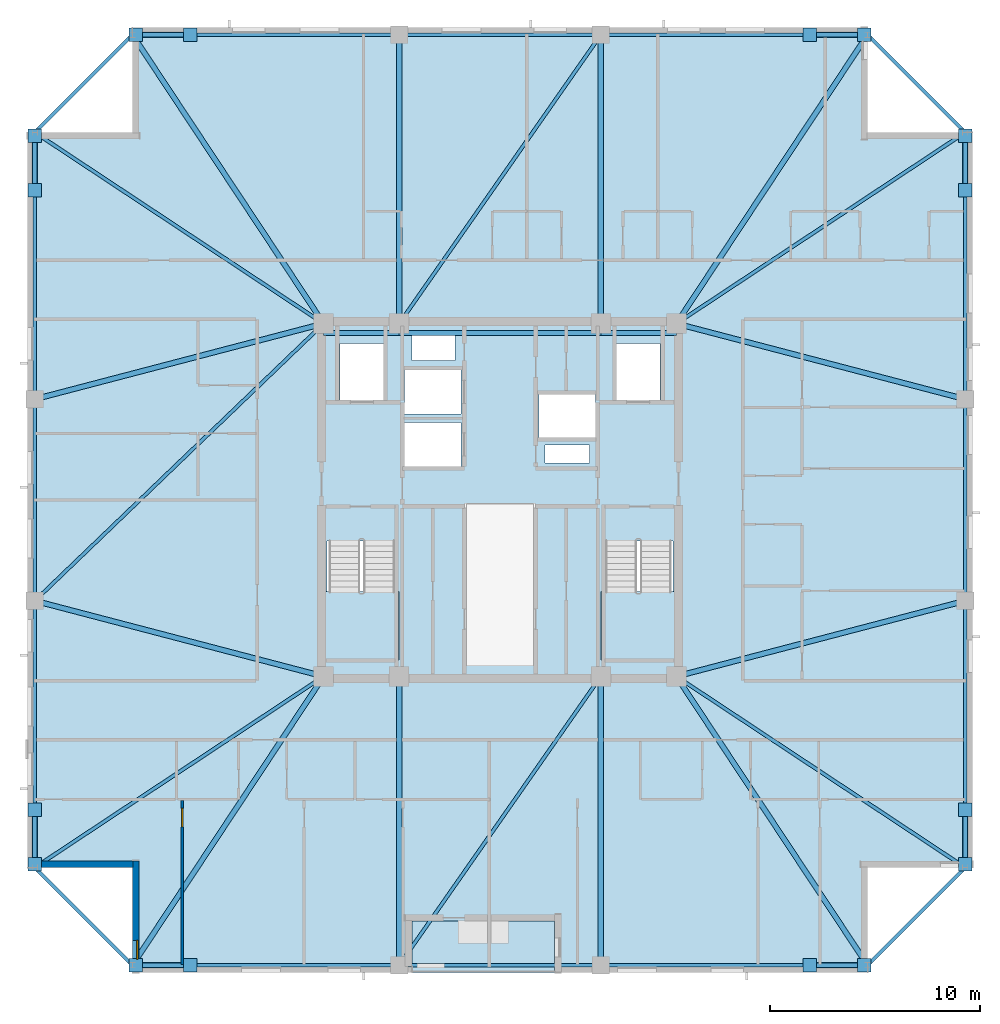
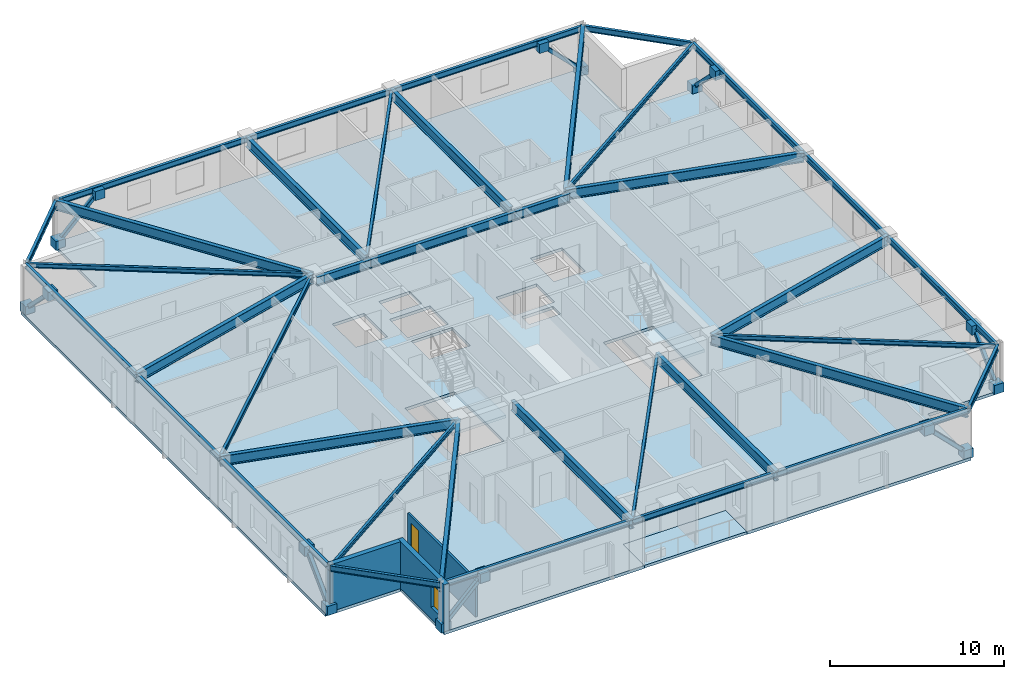
# One storey, part 6 of 17: 38 beams, 16 plates, 8 members, 4 slabs, 3 walls, 1 door, 1 window, 2 openings, 2 elements without a shape of their own.
"""IFC4 building model written with IfcOpenShell, lengths in metres."""

from ifc_helpers import new_model, si_unit, direction, frame, frame_2d, origin, origin_2d, place, context, subcontext, project, spatial, polyline, rectangle, hollow_rectangle, i_section, outline, extrude, material, layer, layer_set, material_profile, profile_set, type_object, element, fill, aggregate, save


model = new_model("IFC4")

# Units and contexts
model_context = context("Model", 3, precision=1e-05, world=origin(), true_north=direction((0.0, 1.0)))
body_context = subcontext(model_context, "Body", "Model", "MODEL_VIEW")
ifc_project = project(units=[si_unit("LENGTHUNIT", "METRE"), si_unit("AREAUNIT", "SQUARE_METRE"), si_unit("VOLUMEUNIT", "CUBIC_METRE"), si_unit("PLANEANGLEUNIT", "RADIAN"), si_unit("MASSUNIT", "GRAM", prefix="KILO")], contexts=[model_context])

# Site, building, storey
site_placement = place(None, origin())
site = spatial("IfcSite", under=ifc_project, at=site_placement, CompositionType="ELEMENT")
building_placement = place(site_placement, origin())
building = spatial("IfcBuilding", under=site, at=building_placement, Name="Cairnveth Concourse Tower", CompositionType="ELEMENT")
storey_placement = place(building_placement, frame((0.0, 0.0, 269.0)))
storey = spatial("IfcBuildingStorey", under=building, at=storey_placement, Name="L74", CompositionType="ELEMENT", Elevation=269.0)

# Beams
ifc_material_1 = material(Name="Steel Grade 350", Category="steel")
ifc_material_profile_1 = material_profile(ifc_material_1, i_section(OverallWidth=0.22802734375, OverallDepth=0.60693359375, WebThickness=0.01123046875, FlangeThickness=0.017333984375, FilletRadius=0.013916015625, at=origin_2d()), Name="610UB113")
ifc_profile_set_1 = profile_set([ifc_material_profile_1], Name="Steel Grade 350")
beam_type_1 = type_object("IfcBeamType", Name="CORE TIE BEAM 610UB113", PredefinedType="T_BEAM", material=ifc_profile_set_1)
for number, where, z_axis, x_axis, name in (
    (1, (43.60009765625, 46.949951171875, 2.986572265625), (1.0, 0.0, 0.0), (0.0, 1.0, 0.0), "Beam CT-N1 L74"),
    (2, (56.800048828125, 46.949951171875, 2.986572265625), (1.0, 0.0, 0.0), (0.0, 1.0, 0.0), "Beam CT-N3 L74"),
):
    element("IfcBeam", number, at=place(storey_placement, frame(where, z_axis=z_axis, x_axis=x_axis)), inside=storey, type_object=beam_type_1, Name=name, PredefinedType="T_BEAM", context=body_context, shape_type="SweptSolid", body=[
        extrude(i_section(OverallWidth=0.22802734375, OverallDepth=0.60693359375, WebThickness=0.01123046875, FlangeThickness=0.017333984375, FilletRadius=0.013916015625, at=origin_2d()), origin(), (0.0, 0.0, 1.0), 3.599853515625),
    ])
beam_1_placement = place(storey_placement, frame((47.199951171875, 46.949951171875, 2.986572265625), z_axis=(1.0, 0.0, 0.0), x_axis=(0.0, 1.0, 0.0)))
element("IfcBeam", 3, at=beam_1_placement, inside=storey, type_object=beam_type_1, Name="Beam CT-N2 L74", PredefinedType="T_BEAM", context=body_context, shape_type="SweptSolid", body=[
    extrude(i_section(OverallWidth=0.22802734375, OverallDepth=0.60693359375, WebThickness=0.01123046875, FlangeThickness=0.017333984375, FilletRadius=0.013916015625, at=origin_2d()), origin(), (0.0, 0.0, 1.0), 9.60009765625),
])
ifc_material_profile_2 = material_profile(ifc_material_1, i_section(OverallWidth=0.166015625, OverallDepth=0.306884765625, WebThickness=0.006591796875, FlangeThickness=0.01171875, FilletRadius=0.010986328125, at=origin_2d()), Name="310UB46.2")
ifc_profile_set_2 = profile_set([ifc_material_profile_2], Name="Steel Grade 350")
beam_type_2 = type_object("IfcBeamType", Name="ZONE 3 FLOOR JOIST 310UB46.2", PredefinedType="JOIST", material=ifc_profile_set_2)
for number, where, z_axis, x_axis, name in (
    (4, (29.85009765625, 21.5, 3.136474609375), (0.833908956207, 0.551902031848, 0.0), (-0.551902031848, 0.833908956207, 0.0), "Beam FJ-CSW2 L74"),
    (5, (74.14990234375, 21.5, 3.136474609375), (-0.833908956207, 0.551902031848, 0.0), (-0.551902031848, -0.833908956207, 0.0), "Beam FJ-CSE2 L74"),
    (6, (74.14990234375, 56.5, 3.136474609375), (-0.833908956207, -0.551902031848, 0.0), (0.551902031848, -0.833908956207, 0.0), "Beam FJ-CNE2 L74"),
    (7, (29.85009765625, 56.5, 3.136474609375), (0.833908956207, -0.551902031848, 0.0), (0.551902031848, 0.833908956207, 0.0), "Beam FJ-CNW2 L74"),
):
    element("IfcBeam", number, at=place(storey_placement, frame(where, z_axis=z_axis, x_axis=x_axis)), inside=storey, type_object=beam_type_2, Name=name, PredefinedType="JOIST", context=body_context, shape_type="SweptSolid", body=[
        extrude(i_section(OverallWidth=0.166015625, OverallDepth=0.306884765625, WebThickness=0.006591796875, FlangeThickness=0.01171875, FilletRadius=0.010986328125, at=origin_2d()), origin(), (0.0, 0.0, 1.0), 16.488525390625),
    ])
for number, where, z_axis, x_axis, name in (
    (8, (47.199951171875, 16.85009765625, 3.136474609375), (0.572465304893, 0.819928944905, 0.0), (-0.819928944905, 0.572465304893, 0.0), "Beam FJ-S-M1 L74"),
    (9, (47.199951171875, 47.39990234375, 3.136474609375), (0.572465304893, 0.819928944905, 0.0), (-0.819928944905, 0.572465304893, 0.0), "Beam FJ-N-M1 L74"),
):
    element("IfcBeam", number, at=place(storey_placement, frame(where, z_axis=z_axis, x_axis=x_axis)), inside=storey, type_object=beam_type_2, Name=name, PredefinedType="JOIST", context=body_context, shape_type="SweptSolid", body=[
        extrude(i_section(OverallWidth=0.166015625, OverallDepth=0.306884765625, WebThickness=0.006591796875, FlangeThickness=0.01171875, FilletRadius=0.010986328125, at=origin_2d()), origin(), (0.0, 0.0, 1.0), 16.769775390625),
    ])
beam_2_placement = place(storey_placement, frame((29.85009765625, 34.199951171875, 3.136474609375), z_axis=(0.721388600838, 0.692530495055, 0.0), x_axis=(-0.692530495055, 0.721388600838, 0.0)))
element("IfcBeam", 10, at=beam_2_placement, inside=storey, type_object=beam_type_2, Name="Beam FJ-W-M1 L74", PredefinedType="JOIST", context=body_context, shape_type="SweptSolid", body=[
    extrude(i_section(OverallWidth=0.166015625, OverallDepth=0.306884765625, WebThickness=0.006591796875, FlangeThickness=0.01171875, FilletRadius=0.010986328125, at=origin_2d()), origin(), (0.0, 0.0, 1.0), 19.060546875),
])

# Members
ifc_material_2 = material(Name="Steel C350L0 (350 MPa)", Category="steel")
ifc_material_profile_3 = material_profile(ifc_material_2, hollow_rectangle(XDim=0.25, YDim=0.25, WallThickness=0.012451171875, InnerFilletRadius=0.012939453125, OuterFilletRadius=0.02490234375, at=origin_2d()), Name="250x250x12.5SHS")
ifc_profile_set_3 = profile_set([ifc_material_profile_3], Name="Steel C350L0 (350 MPa)")
member_type = type_object("IfcMemberType", Name="ZONE 3 PIER BRACE 250X250X12.5SHS", PredefinedType="BRACE", material=ifc_profile_set_3)
for number, where, z_axis, x_axis, name in (
    (11, (34.64990234375, 16.85009765625, 0.25), (0.708469186186, 0.0, 0.705741746126), (0.0, 1.0, 0.0), "Structural Brace PB-S1 L74"),
    (12, (69.35009765625, 16.85009765625, 0.25), (-0.708469186186, 0.0, 0.705741746126), (0.0, -1.0, 0.0), "Structural Brace PB-S2 L74"),
    (13, (34.64990234375, 61.14990234375, 0.25), (0.708469186186, 0.0, 0.705741746126), (0.0, 1.0, 0.0), "Structural Brace PB-N1 L74"),
    (14, (69.35009765625, 61.14990234375, 0.25), (-0.708469186186, 0.0, 0.705741746126), (0.0, -1.0, 0.0), "Structural Brace PB-N2 L74"),
    (15, (29.85009765625, 21.64990234375, 0.25), (0.0, 0.708469186186, 0.705741746126), (-1.0, 0.0, 0.0), "Structural Brace PB-W1 L74"),
    (16, (29.85009765625, 56.35009765625, 0.25), (0.0, -0.708469186186, 0.705741746126), (1.0, 0.0, 0.0), "Structural Brace PB-W2 L74"),
    (17, (74.14990234375, 21.64990234375, 0.25), (0.0, 0.708469186186, 0.705741746126), (-1.0, 0.0, 0.0), "Structural Brace PB-E1 L74"),
    (18, (74.14990234375, 56.35009765625, 0.25), (0.0, -0.708469186186, 0.705741746126), (1.0, 0.0, 0.0), "Structural Brace PB-E2 L74"),
):
    element("IfcMember", number, at=place(storey_placement, frame(where, z_axis=z_axis, x_axis=x_axis)), inside=storey, type_object=member_type, Name=name, PredefinedType="BRACE", context=body_context, shape_type="SweptSolid", body=[
        extrude(hollow_rectangle(XDim=0.25, YDim=0.25, WallThickness=0.012451171875, InnerFilletRadius=0.012939453125, OuterFilletRadius=0.02490234375, at=origin_2d()), origin(), (0.0, 0.0, 1.0), 3.669921875),
    ])

# Beams
ifc_material_profile_4 = material_profile(ifc_material_1, i_section(OverallWidth=0.25, OverallDepth=0.69189453125, WebThickness=0.010009765625, FlangeThickness=0.02490234375, at=origin_2d()), Name="700WB150")
ifc_profile_set_4 = profile_set([ifc_material_profile_4], Name="Steel Grade 350")
beam_type_3 = type_object("IfcBeamType", Name="ZONE 3 RADIAL GIRDER 700WB150", PredefinedType="BEAM", material=ifc_profile_set_4)
for number, where, z_axis, x_axis, name in (
    (19, (47.199951171875, 16.85009765625, 2.944091796875), (0.0, 1.0, 0.0), (-1.0, 0.0, 0.0), "Beam RG-S1 L74"),
    (20, (56.800048828125, 16.85009765625, 2.944091796875), (0.0, 1.0, 0.0), (-1.0, 0.0, 0.0), "Beam RG-S2 L74"),
    (21, (47.199951171875, 47.39990234375, 2.944091796875), (0.0, 1.0, 0.0), (-1.0, 0.0, 0.0), "Beam RG-N1 L74"),
    (22, (56.800048828125, 47.39990234375, 2.944091796875), (0.0, 1.0, 0.0), (-1.0, 0.0, 0.0), "Beam RG-N2 L74"),
):
    element("IfcBeam", number, at=place(storey_placement, frame(where, z_axis=z_axis, x_axis=x_axis)), inside=storey, type_object=beam_type_3, Name=name, PredefinedType="BEAM", context=body_context, shape_type="SweptSolid", body=[
        extrude(i_section(OverallWidth=0.25, OverallDepth=0.69189453125, WebThickness=0.010009765625, FlangeThickness=0.02490234375, at=origin_2d()), origin(), (0.0, 0.0, 1.0), 13.75),
    ])
for number, where, z_axis, x_axis, name in (
    (23, (29.85009765625, 34.199951171875, 2.944091796875), (0.967395273598, -0.253271365575, 0.0), (0.253271365575, 0.967395273598, 0.0), "Beam RG-W1 L74"),
    (24, (29.85009765625, 43.800048828125, 2.944091796875), (0.967395273598, 0.253271365575, 0.0), (-0.253271365575, 0.967395273598, 0.0), "Beam RG-W2 L74"),
    (25, (60.39990234375, 30.60009765625, 2.944091796875), (0.967395273598, 0.253271365575, 0.0), (-0.253271365575, 0.967395273598, 0.0), "Beam RG-E1 L74"),
    (26, (60.39990234375, 47.39990234375, 2.944091796875), (0.967395273598, -0.253271365575, 0.0), (0.253271365575, 0.967395273598, 0.0), "Beam RG-E2 L74"),
):
    element("IfcBeam", number, at=place(storey_placement, frame(where, z_axis=z_axis, x_axis=x_axis)), inside=storey, type_object=beam_type_3, Name=name, PredefinedType="BEAM", context=body_context, shape_type="SweptSolid", body=[
        extrude(i_section(OverallWidth=0.25, OverallDepth=0.69189453125, WebThickness=0.010009765625, FlangeThickness=0.02490234375, at=origin_2d()), origin(), (0.0, 0.0, 1.0), 14.21337890625),
    ])
for number, where, z_axis, x_axis, name in (
    (27, (34.5, 16.85009765625, 2.944091796875), (0.551902031848, 0.833908956207, 0.0), (-0.833908956207, 0.551902031848, 0.0), "Beam RG-CSW L74"),
    (28, (69.5, 16.85009765625, 2.944091796875), (-0.551902031848, 0.833908956207, 0.0), (-0.833908956207, -0.551902031848, 0.0), "Beam RG-CSE L74"),
    (29, (69.5, 61.14990234375, 2.944091796875), (-0.551902031848, -0.833908956207, 0.0), (0.833908956207, -0.551902031848, 0.0), "Beam RG-CNE L74"),
    (30, (34.5, 61.14990234375, 2.944091796875), (0.551902031848, -0.833908956207, 0.0), (0.833908956207, 0.551902031848, 0.0), "Beam RG-CNW L74"),
):
    element("IfcBeam", number, at=place(storey_placement, frame(where, z_axis=z_axis, x_axis=x_axis)), inside=storey, type_object=beam_type_3, Name=name, PredefinedType="BEAM", context=body_context, shape_type="SweptSolid", body=[
        extrude(i_section(OverallWidth=0.25, OverallDepth=0.69189453125, WebThickness=0.010009765625, FlangeThickness=0.02490234375, at=origin_2d()), origin(), (0.0, 0.0, 1.0), 16.488525390625),
    ])
ifc_material_profile_5 = material_profile(ifc_material_1, i_section(OverallWidth=0.177978515625, OverallDepth=0.406005859375, WebThickness=0.0078125, FlangeThickness=0.0126953125, FilletRadius=0.010986328125, at=origin_2d()), Name="410UB59.7")
ifc_profile_set_5 = profile_set([ifc_material_profile_5], Name="Steel Grade 350")
beam_type_4 = type_object("IfcBeamType", Name="ZONE 3 SPANDREL BEAM 410UB59.7", PredefinedType="SPANDREL", material=ifc_profile_set_5)
beam_3_placement = place(storey_placement, frame((34.5, 16.85009765625, 3.0869140625), z_axis=(1.0, 0.0, 0.0), x_axis=(0.0, 1.0, 0.0)))
element("IfcBeam", 31, at=beam_3_placement, inside=storey, type_object=beam_type_4, Name="Beam SP-S1 L74", PredefinedType="SPANDREL", context=body_context, shape_type="SweptSolid", body=[
    extrude(i_section(OverallWidth=0.177978515625, OverallDepth=0.406005859375, WebThickness=0.0078125, FlangeThickness=0.0126953125, FilletRadius=0.010986328125, at=origin_2d()), origin(), (0.0, 0.0, 1.0), 12.699951171875),
])
beam_4_placement = place(storey_placement, frame((47.199951171875, 16.85009765625, 3.0869140625), z_axis=(1.0, 0.0, 0.0), x_axis=(0.0, 1.0, 0.0)))
element("IfcBeam", 32, at=beam_4_placement, inside=storey, type_object=beam_type_4, Name="Beam SP-S2 L74", PredefinedType="SPANDREL", context=body_context, shape_type="SweptSolid", body=[
    extrude(i_section(OverallWidth=0.177978515625, OverallDepth=0.406005859375, WebThickness=0.0078125, FlangeThickness=0.0126953125, FilletRadius=0.010986328125, at=origin_2d()), origin(), (0.0, 0.0, 1.0), 9.60009765625),
])
for number, where, z_axis, x_axis, name in (
    (33, (56.800048828125, 16.85009765625, 3.0869140625), (1.0, 0.0, 0.0), (0.0, 1.0, 0.0), "Beam SP-S3 L74"),
    (34, (34.5, 61.14990234375, 3.0869140625), (1.0, 0.0, 0.0), (0.0, 1.0, 0.0), "Beam SP-N1 L74"),
):
    element("IfcBeam", number, at=place(storey_placement, frame(where, z_axis=z_axis, x_axis=x_axis)), inside=storey, type_object=beam_type_4, Name=name, PredefinedType="SPANDREL", context=body_context, shape_type="SweptSolid", body=[
        extrude(i_section(OverallWidth=0.177978515625, OverallDepth=0.406005859375, WebThickness=0.0078125, FlangeThickness=0.0126953125, FilletRadius=0.010986328125, at=origin_2d()), origin(), (0.0, 0.0, 1.0), 12.699951171875),
    ])
beam_5_placement = place(storey_placement, frame((47.199951171875, 61.14990234375, 3.0869140625), z_axis=(1.0, 0.0, 0.0), x_axis=(0.0, 1.0, 0.0)))
element("IfcBeam", 35, at=beam_5_placement, inside=storey, type_object=beam_type_4, Name="Beam SP-N2 L74", PredefinedType="SPANDREL", context=body_context, shape_type="SweptSolid", body=[
    extrude(i_section(OverallWidth=0.177978515625, OverallDepth=0.406005859375, WebThickness=0.0078125, FlangeThickness=0.0126953125, FilletRadius=0.010986328125, at=origin_2d()), origin(), (0.0, 0.0, 1.0), 9.60009765625),
])
for number, where, z_axis, x_axis, name in (
    (36, (56.800048828125, 61.14990234375, 3.0869140625), (1.0, 0.0, 0.0), (0.0, 1.0, 0.0), "Beam SP-N3 L74"),
    (37, (29.85009765625, 21.5, 3.0869140625), (0.0, 1.0, 0.0), (-1.0, 0.0, 0.0), "Beam SP-W1 L74"),
):
    element("IfcBeam", number, at=place(storey_placement, frame(where, z_axis=z_axis, x_axis=x_axis)), inside=storey, type_object=beam_type_4, Name=name, PredefinedType="SPANDREL", context=body_context, shape_type="SweptSolid", body=[
        extrude(i_section(OverallWidth=0.177978515625, OverallDepth=0.406005859375, WebThickness=0.0078125, FlangeThickness=0.0126953125, FilletRadius=0.010986328125, at=origin_2d()), origin(), (0.0, 0.0, 1.0), 12.699951171875),
    ])
beam_6_placement = place(storey_placement, frame((29.85009765625, 34.199951171875, 3.0869140625), z_axis=(0.0, 1.0, 0.0), x_axis=(-1.0, 0.0, 0.0)))
element("IfcBeam", 38, at=beam_6_placement, inside=storey, type_object=beam_type_4, Name="Beam SP-W2 L74", PredefinedType="SPANDREL", context=body_context, shape_type="SweptSolid", body=[
    extrude(i_section(OverallWidth=0.177978515625, OverallDepth=0.406005859375, WebThickness=0.0078125, FlangeThickness=0.0126953125, FilletRadius=0.010986328125, at=origin_2d()), origin(), (0.0, 0.0, 1.0), 9.60009765625),
])
for number, where, z_axis, x_axis, name in (
    (39, (29.85009765625, 43.800048828125, 3.0869140625), (0.0, 1.0, 0.0), (-1.0, 0.0, 0.0), "Beam SP-W3 L74"),
    (40, (74.14990234375, 21.5, 3.0869140625), (0.0, 1.0, 0.0), (-1.0, 0.0, 0.0), "Beam SP-E1 L74"),
):
    element("IfcBeam", number, at=place(storey_placement, frame(where, z_axis=z_axis, x_axis=x_axis)), inside=storey, type_object=beam_type_4, Name=name, PredefinedType="SPANDREL", context=body_context, shape_type="SweptSolid", body=[
        extrude(i_section(OverallWidth=0.177978515625, OverallDepth=0.406005859375, WebThickness=0.0078125, FlangeThickness=0.0126953125, FilletRadius=0.010986328125, at=origin_2d()), origin(), (0.0, 0.0, 1.0), 12.699951171875),
    ])
beam_7_placement = place(storey_placement, frame((74.14990234375, 34.199951171875, 3.0869140625), z_axis=(0.0, 1.0, 0.0), x_axis=(-1.0, 0.0, 0.0)))
element("IfcBeam", 41, at=beam_7_placement, inside=storey, type_object=beam_type_4, Name="Beam SP-E2 L74", PredefinedType="SPANDREL", context=body_context, shape_type="SweptSolid", body=[
    extrude(i_section(OverallWidth=0.177978515625, OverallDepth=0.406005859375, WebThickness=0.0078125, FlangeThickness=0.0126953125, FilletRadius=0.010986328125, at=origin_2d()), origin(), (0.0, 0.0, 1.0), 9.60009765625),
])
beam_8_placement = place(storey_placement, frame((74.14990234375, 43.800048828125, 3.0869140625), z_axis=(0.0, 1.0, 0.0), x_axis=(-1.0, 0.0, 0.0)))
element("IfcBeam", 42, at=beam_8_placement, inside=storey, type_object=beam_type_4, Name="Beam SP-E3 L74", PredefinedType="SPANDREL", context=body_context, shape_type="SweptSolid", body=[
    extrude(i_section(OverallWidth=0.177978515625, OverallDepth=0.406005859375, WebThickness=0.0078125, FlangeThickness=0.0126953125, FilletRadius=0.010986328125, at=origin_2d()), origin(), (0.0, 0.0, 1.0), 12.699951171875),
])
for number, where, z_axis, x_axis, name in (
    (43, (29.85009765625, 21.5, 3.0869140625), (0.707106781187, -0.707106781187, 0.0), (0.707106781187, 0.707106781187, 0.0), "Beam SP-SW L74"),
    (44, (69.5, 16.85009765625, 3.0869140625), (0.707106781187, 0.707106781187, 0.0), (-0.707106781187, 0.707106781187, 0.0), "Beam SP-SE L74"),
    (45, (69.5, 61.14990234375, 3.0869140625), (0.707106781187, -0.707106781187, 0.0), (0.707106781187, 0.707106781187, 0.0), "Beam SP-NE L74"),
    (46, (29.85009765625, 56.5, 3.0869140625), (0.707106781187, 0.707106781187, 0.0), (-0.707106781187, 0.707106781187, 0.0), "Beam SP-NW L74"),
):
    element("IfcBeam", number, at=place(storey_placement, frame(where, z_axis=z_axis, x_axis=x_axis)), inside=storey, type_object=beam_type_4, Name=name, PredefinedType="SPANDREL", context=body_context, shape_type="SweptSolid", body=[
        extrude(i_section(OverallWidth=0.177978515625, OverallDepth=0.406005859375, WebThickness=0.0078125, FlangeThickness=0.0126953125, FilletRadius=0.010986328125, at=origin_2d()), origin(), (0.0, 0.0, 1.0), 6.575927734375),
    ])

# Plates
ifc_layer_1 = layer(ifc_material_1, 0.031982421875)
ifc_layer_set_1 = layer_set([ifc_layer_1], Name="Steel Grade 350")
plate_type = type_object("IfcPlateType", Name="PERIMETER BRACE GUSSET PLATE 32", PredefinedType="USERDEFINED", material=ifc_layer_set_1)
for number, where, z_axis, x_axis, name in (
    (47, (34.64990234375, 16.85009765625, -0.06982421875), (0.0, 0.0, 1.0), (1.0, 0.0, 0.0), "Structural Node Plate 1269 L74"),
    (48, (37.25, 16.85009765625, 2.52001953125), (0.0, 0.0, 1.0), (1.0, 0.0, 0.0), "Structural Node Plate 1270 L74"),
    (49, (69.35009765625, 16.85009765625, -0.06982421875), (0.0, 0.0, 1.0), (1.0, 0.0, 0.0), "Structural Node Plate 1271 L74"),
    (50, (66.75, 16.85009765625, 2.52001953125), (0.0, 0.0, 1.0), (1.0, 0.0, 0.0), "Structural Node Plate 1272 L74"),
    (51, (34.64990234375, 61.14990234375, -0.06982421875), (0.0, 0.0, 1.0), (1.0, 0.0, 0.0), "Structural Node Plate 1273 L74"),
    (52, (37.25, 61.14990234375, 2.52001953125), (0.0, 0.0, 1.0), (1.0, 0.0, 0.0), "Structural Node Plate 1274 L74"),
    (53, (69.35009765625, 61.14990234375, -0.06982421875), (0.0, 0.0, 1.0), (1.0, 0.0, 0.0), "Structural Node Plate 1275 L74"),
    (54, (66.75, 61.14990234375, 2.52001953125), (0.0, 0.0, 1.0), (1.0, 0.0, 0.0), "Structural Node Plate 1276 L74"),
    (55, (29.85009765625, 21.64990234375, -0.06982421875), (0.0, 0.0, 1.0), (1.0, 0.0, 0.0), "Structural Node Plate 1277 L74"),
    (56, (29.85009765625, 24.25, 2.52001953125), (0.0, 0.0, 1.0), (1.0, 0.0, 0.0), "Structural Node Plate 1278 L74"),
    (57, (29.85009765625, 56.35009765625, -0.06982421875), (0.0, 0.0, 1.0), (1.0, 0.0, 0.0), "Structural Node Plate 1279 L74"),
    (58, (29.85009765625, 53.75, 2.52001953125), (0.0, 0.0, 1.0), (1.0, 0.0, 0.0), "Structural Node Plate 1280 L74"),
    (59, (74.14990234375, 21.64990234375, -0.06982421875), (0.0, 0.0, 1.0), (1.0, 0.0, 0.0), "Structural Node Plate 1281 L74"),
    (60, (74.14990234375, 24.25, 2.52001953125), (0.0, 0.0, 1.0), (1.0, 0.0, 0.0), "Structural Node Plate 1282 L74"),
    (61, (74.14990234375, 56.35009765625, -0.06982421875), (0.0, 0.0, 1.0), (1.0, 0.0, 0.0), "Structural Node Plate 1283 L74"),
    (62, (74.14990234375, 53.75, 2.52001953125), (0.0, 0.0, 1.0), (1.0, 0.0, 0.0), "Structural Node Plate 1284 L74"),
):
    element("IfcPlate", number, at=place(storey_placement, frame(where, z_axis=z_axis, x_axis=x_axis)), inside=storey, type_object=plate_type, Name=name, ObjectType="GUSSET PLATE", PredefinedType="USERDEFINED", context=body_context, shape_type="SweptSolid", body=[
        extrude(rectangle(XDim=0.639892578125, YDim=0.639892578125, at=origin_2d()), origin(), (0.0, 0.0, 1.0), 0.639892578125),
    ])

# Slab
ifc_material_3 = material(Name="Concrete N50 (50 MPa)", Category="concrete")
ifc_layer_2 = layer(ifc_material_3, 0.18994140625)
ifc_layer_set_2 = layer_set([ifc_layer_2], Name="Concrete N50 (50 MPa)")
slab_type_1 = type_object("IfcSlabType", Name="SPIRAL OUTDOOR TERRACE SLAB 190", PredefinedType="FLOOR", material=ifc_layer_set_2)
slab_1_placement = place(storey_placement, frame((0.0, 0.0, -0.18994140625)))
element("IfcSlab", 63, at=slab_1_placement, inside=storey, type_object=slab_type_1, Name="Spiral Terrace Slab L74", PredefinedType="FLOOR", context=body_context, shape_type="SweptSolid", body=[
    extrude(outline(polyline([(47.800048828125, 16.5), (54.60009765625, 16.5), (54.60009765625, 18.949951171875), (47.800048828125, 18.949951171875), (47.800048828125, 16.5)])), origin(), (0.0, 0.0, 1.0), 0.18994140625),
])

# Stair, slab
ifc_material_4 = material(Name="Precast concrete N50 (50 MPa)", Category="concrete")
stair_type = type_object("IfcStairType", Name="CORE DOG-LEG FIRE STAIR 1500", PredefinedType="HALF_TURN_STAIR", material=ifc_material_4)
stair_1_placement = place(storey_placement, origin())
stair_1 = element("IfcStair", 64, at=stair_1_placement, inside=storey, type_object=stair_type, Name="L74 Fire-Isolated Stair ST-1", PredefinedType="HALF_TURN_STAIR")
ifc_layer_3 = layer(ifc_material_3, 0.199951171875)
ifc_layer_set_3 = layer_set([ifc_layer_3], Name="Concrete N50 (50 MPa)")
slab_type_2 = type_object("IfcSlabType", Name="STAIR HALF LANDING SLAB 200", PredefinedType="LANDING", material=ifc_layer_set_3)
slab_2_placement = place(storey_placement, frame((0.0, 0.0, 1.550048828125)))
slab_2 = element("IfcSlab", 65, at=slab_2_placement, type_object=slab_type_2, Name="ST-1 landing 1", PredefinedType="LANDING", context=body_context, shape_type="SweptSolid", body=[
    extrude(outline(polyline([(43.6201171875, 34.639892578125), (43.6201171875, 31.3701171875), (47.199951171875, 31.3701171875), (47.199951171875, 34.639892578125), (43.6201171875, 34.639892578125)])), origin(), (0.0, 0.0, 1.0), 0.199951171875),
])
aggregate(stair_1, [slab_2])

stair_2_placement = place(storey_placement, origin())
stair_2 = element("IfcStair", 66, at=stair_2_placement, inside=storey, type_object=stair_type, Name="L74 Fire-Isolated Stair ST-2", PredefinedType="HALF_TURN_STAIR")
slab_3_placement = place(storey_placement, frame((0.0, 0.0, 1.550048828125)))
slab_3 = element("IfcSlab", 67, at=slab_3_placement, type_object=slab_type_2, Name="ST-2 landing 1", PredefinedType="LANDING", context=body_context, shape_type="SweptSolid", body=[
    extrude(outline(polyline([(56.800048828125, 34.639892578125), (56.800048828125, 31.3701171875), (60.3798828125, 31.3701171875), (60.3798828125, 34.639892578125), (56.800048828125, 34.639892578125)])), origin(), (0.0, 0.0, 1.0), 0.199951171875),
])
aggregate(stair_2, [slab_3])

# Slab
ifc_layer_4 = layer(ifc_material_3, 0.2099609375)
ifc_layer_set_4 = layer_set([ifc_layer_4], Name="Concrete N50 (50 MPa)")
slab_type_3 = type_object("IfcSlabType", Name="UPPER TOWER COMPOSITE SLAB 210", PredefinedType="FLOOR", material=ifc_layer_set_4)
slab_4_placement = place(storey_placement, frame((0.0, 0.0, -0.2099609375)))
element("IfcSlab", 68, at=slab_4_placement, inside=storey, type_object=slab_type_3, Name="Tower Floor Slab L74", PredefinedType="FLOOR", context=body_context, shape_type="SweptSolid", body=[
    extrude(outline(polyline([(47.800048828125, 16.5), (47.800048828125, 18.949951171875), (54.60009765625, 18.949951171875), (54.60009765625, 16.5), (69.5, 16.5), (69.5, 21.5), (74.5, 21.5), (74.5, 56.5), (69.5, 56.5), (69.5, 61.5), (34.5, 61.5), (34.5, 56.5), (29.5, 56.5), (29.5, 21.5), (34.5, 21.5), (34.5, 16.5), (47.800048828125, 16.5)]), holes=[polyline([(43.760009765625, 31.360107421875), (47.06005859375, 31.360107421875), (47.06005859375, 37.0400390625), (43.760009765625, 37.0400390625), (43.760009765625, 31.360107421875)]), polyline([(56.93994140625, 31.360107421875), (60.239990234375, 31.360107421875), (60.239990234375, 37.0400390625), (56.93994140625, 37.0400390625), (56.93994140625, 31.360107421875)]), polyline([(44.3701171875, 43.75), (46.469970703125, 43.75), (46.469970703125, 46.449951171875), (44.3701171875, 46.449951171875), (44.3701171875, 43.75)]), polyline([(57.530029296875, 43.75), (59.6298828125, 43.75), (59.6298828125, 46.449951171875), (57.530029296875, 46.449951171875), (57.530029296875, 43.75)]), polyline([(47.449951171875, 40.60009765625), (50.14990234375, 40.60009765625), (50.14990234375, 42.699951171875), (47.449951171875, 42.699951171875), (47.449951171875, 40.60009765625)]), polyline([(47.449951171875, 43.10009765625), (50.14990234375, 43.10009765625), (50.14990234375, 45.199951171875), (47.449951171875, 45.199951171875), (47.449951171875, 43.10009765625)]), polyline([(53.85009765625, 41.949951171875), (56.550048828125, 41.949951171875), (56.550048828125, 44.050048828125), (53.85009765625, 44.050048828125), (53.85009765625, 41.949951171875)]), polyline([(47.800048828125, 45.64990234375), (49.85009765625, 45.64990234375), (49.85009765625, 47.050048828125), (47.800048828125, 47.050048828125), (47.800048828125, 45.64990234375)]), polyline([(54.14990234375, 40.75), (56.25, 40.75), (56.25, 41.6201171875), (54.14990234375, 41.6201171875), (54.14990234375, 40.75)])]), origin(), (0.0, 0.0, 1.0), 0.2099609375),
])

# Wall, opening, door
ifc_material_5 = material(Name="Gypsum Plasterboard Partition", Category="gypsum")
ifc_layer_5 = layer(ifc_material_5, 0.139892578125)
ifc_layer_set_5 = layer_set([ifc_layer_5], Name="Gypsum Plasterboard Partition")
wall_type_1 = type_object("IfcWallType", Name="GYPSUM STUD PARTITION 140", PredefinedType="PARTITIONING", material=ifc_layer_set_5)
wall_1_placement = place(storey_placement, frame((36.8701171875, 16.8798828125, 0.0), z_axis=(0.0, 0.0, 1.0), x_axis=(0.0, 1.0, 0.0)))
wall_1 = element("IfcWall", 69, at=wall_1_placement, inside=storey, type_object=wall_type_1, Name="Interior Wall IW-L74-050", PredefinedType="PARTITIONING", context=body_context, shape_type="SweptSolid", body=[
    extrude(rectangle(XDim=7.817626953125, YDim=0.139892578125, at=frame_2d((3.90869140625, 0.0))), origin(), (0.0, 0.0, 1.0), 2.572998046875),
])
opening_1_placement = place(wall_1_placement, frame((6.5576171875, 0.0, 0.0)))
opening_1 = element("IfcOpeningElement", 70, at=opening_1_placement, cuts=wall_1, Name="Opening ID18", PredefinedType="OPENING", context=body_context, shape_type="SweptSolid", body=[
    extrude(rectangle(XDim=0.8798828125, YDim=2.10009765625, at=frame_2d((0.43994140625, 1.050048828125))), frame((0.0, 0.079833984375, 0.0), z_axis=(0.0, -1.0, 0.0), x_axis=(1.0, 0.0, 0.0)), (0.0, 0.0, 1.0), 0.159912109375),
])
ifc_material_6 = material(Name="Solid Core Hardwood Timber Leaf", Category="wood")
door_type = type_object("IfcDoorType", Name="INTERIOR SINGLE DOOR 880X2100", OperationType="NOTDEFINED", PredefinedType="DOOR", material=ifc_material_6)
door_placement = place(opening_1_placement, origin())
door = element("IfcDoor", 71, at=door_placement, inside=storey, type_object=door_type, Name="L74S1 Master Bedroom Door", OperationType="SINGLE_SWING_RIGHT", OverallHeight=2.10009765625, OverallWidth=0.8798828125, PredefinedType="DOOR", context=body_context, shape_type="SweptSolid", body=[
    extrude(rectangle(XDim=0.8798828125, YDim=2.10009765625, at=frame_2d((0.43994140625, 1.050048828125))), frame((0.0, 0.02490234375, 0.0), z_axis=(0.0, -1.0, 0.0), x_axis=(1.0, 0.0, 0.0)), (0.0, 0.0, 1.0), 0.050048828125),
])
fill(opening_1, door)

# Wall, opening, window
ifc_material_7 = material(Name="Melbourne Buff Fired Clay Brick Masonry", Category="masonry")
ifc_layer_6 = layer(ifc_material_7, 0.320068359375)
ifc_layer_set_6 = layer_set([ifc_layer_6], Name="Melbourne Buff Fired Clay Brick Masonry")
wall_type_2 = type_object("IfcWallType", Name="ZONE 3 BRICK PIER SPANDREL WALL 320", PredefinedType="SOLIDWALL", material=ifc_layer_set_6)
wall_2_placement = place(storey_placement, frame((34.659912109375, 16.5, 0.0), z_axis=(0.0, 0.0, 1.0), x_axis=(0.0, 1.0, 0.0)))
wall_2 = element("IfcWall", 72, at=wall_2_placement, inside=storey, type_object=wall_type_2, Name="Exterior Wall EW-L74-S01", PredefinedType="SOLIDWALL", context=body_context, shape_type="SweptSolid", body=[
    extrude(rectangle(XDim=5.320068359375, YDim=0.320068359375, at=frame_2d((2.66015625, 0.0))), origin(), (0.0, 0.0, 1.0), 3.2900390625),
])
opening_2_placement = place(wall_2_placement, frame((0.6298828125, 0.0, 0.800048828125)))
opening_2 = element("IfcOpeningElement", 73, at=opening_2_placement, cuts=wall_2, Name="Opening W13", PredefinedType="OPENING", context=body_context, shape_type="SweptSolid", body=[
    extrude(rectangle(XDim=0.89990234375, YDim=1.677978515625, at=frame_2d((0.449951171875, 0.8388671875))), frame((0.0, 0.169921875, 0.0), z_axis=(0.0, -1.0, 0.0), x_axis=(1.0, 0.0, 0.0)), (0.0, 0.0, 1.0), 0.340087890625),
])
ifc_material_8 = material(Name="Double Glazed Low-E Clear Glass", Category="glass")
window_type = type_object("IfcWindowType", Name="DEEP-SET BEDROOM LANCET WINDOW 900X1750", PartitioningType="DOUBLE_PANEL_VERTICAL", PredefinedType="WINDOW", material=ifc_material_8)
window_placement = place(opening_2_placement, origin())
window = element("IfcWindow", 74, at=window_placement, inside=storey, type_object=window_type, Name="Dwelling Lancet Window L74-DW1", OverallHeight=1.677978515625, OverallWidth=0.89990234375, PartitioningType="SINGLE_PANEL", PredefinedType="WINDOW", context=body_context, shape_type="SweptSolid", body=[
    extrude(rectangle(XDim=0.89990234375, YDim=1.677978515625, at=frame_2d((0.449951171875, 0.8388671875))), frame((0.0, -0.0400390625, 0.0), z_axis=(0.0, -1.0, 0.0), x_axis=(1.0, 0.0, 0.0)), (0.0, 0.0, 1.0), 0.06005859375),
])
fill(opening_2, window)

# Wall
wall_3_placement = place(storey_placement, frame((34.52197265625, 21.659912109375, 0.0), z_axis=(0.0, 0.0, 1.0), x_axis=(-1.0, 0.0, 0.0)))
element("IfcWall", 75, at=wall_3_placement, inside=storey, type_object=wall_type_2, Name="Exterior Wall EW-L74-S02", PredefinedType="SOLIDWALL", context=body_context, shape_type="SweptSolid", body=[
    extrude(rectangle(XDim=4.723876953125, YDim=0.320068359375, at=frame_2d((2.36181640625, 0.0))), origin(), (0.0, 0.0, 1.0), 3.2900390625),
])

save(model, "model.ifc")
